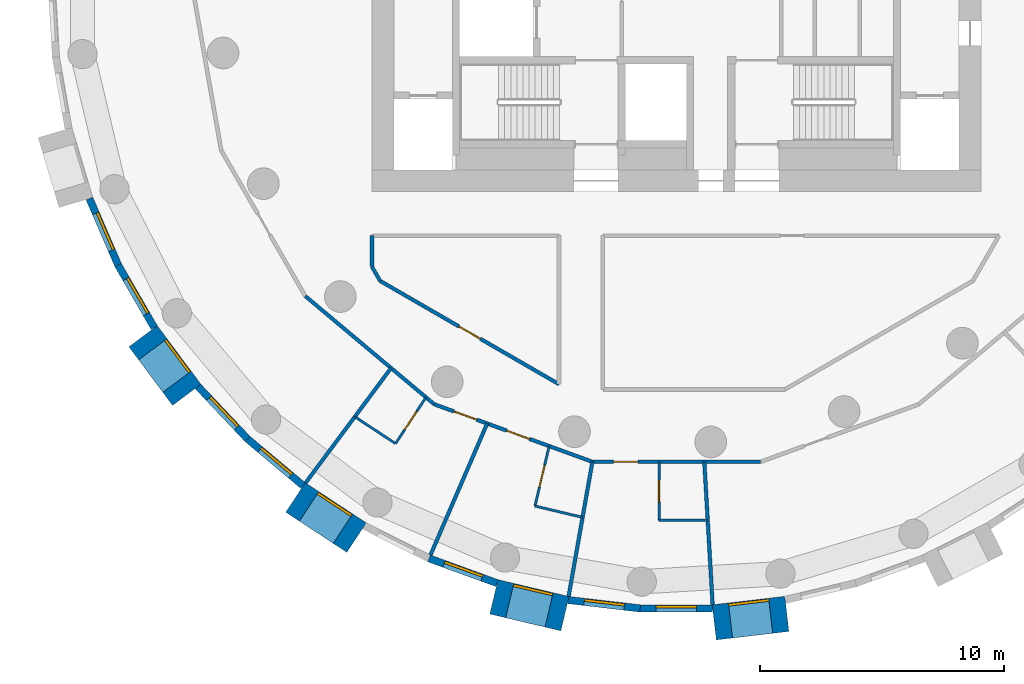
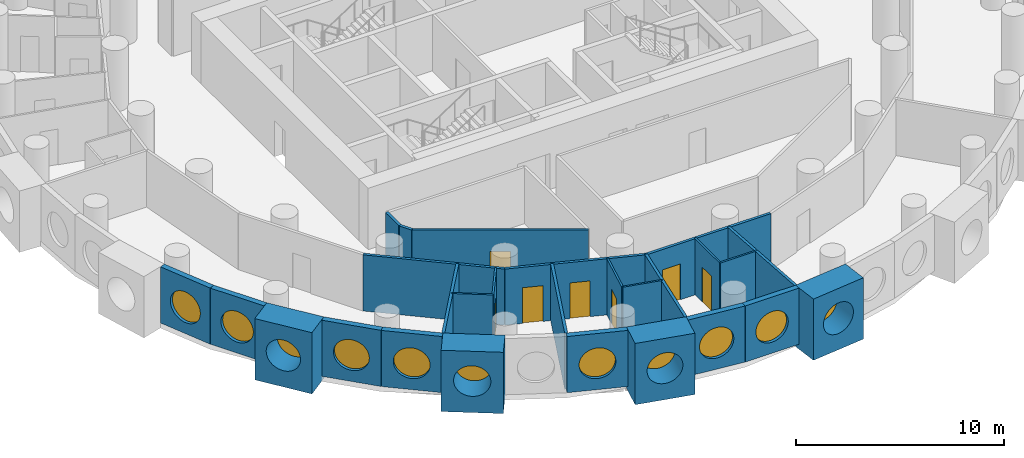
# One storey, part 2 of 9: 27 walls, 11 windows, 7 doors, 18 openings.
"""IFC4 building model written with IfcOpenShell, lengths in metres."""

from ifc_helpers import new_model, si_unit, direction, frame, frame_2d, origin, origin_2d, place, context, subcontext, project, spatial, rectangle, circle, extrude, material, layer, layer_set, type_object, element, fill, save


model = new_model("IFC4")

# Units and contexts
model_context = context("Model", 3, precision=1e-05, world=origin(), true_north=direction((0.0, 1.0)))
body_context = subcontext(model_context, "Body", "Model", "MODEL_VIEW")
ifc_project = project(units=[si_unit("LENGTHUNIT", "METRE"), si_unit("AREAUNIT", "SQUARE_METRE"), si_unit("VOLUMEUNIT", "CUBIC_METRE"), si_unit("PLANEANGLEUNIT", "RADIAN"), si_unit("MASSUNIT", "GRAM", prefix="KILO")], contexts=[model_context])

# Site, building, storey
site_placement = place(None, origin())
site = spatial("IfcSite", under=ifc_project, at=site_placement, CompositionType="ELEMENT")
building_placement = place(site_placement, origin())
building = spatial("IfcBuilding", under=site, at=building_placement, Name="Tracery Tower", CompositionType="ELEMENT")
storey_placement = place(building_placement, frame((0.0, 0.0, 183.60009765625)))
storey = spatial("IfcBuildingStorey", under=building, at=storey_placement, Name="L47", CompositionType="ELEMENT", Elevation=183.60009765625)

# Wall, opening, window
ifc_material_1 = material(Name="Precast concrete C50/60", Category="concrete")
ifc_layer_1 = layer(ifc_material_1, 1.449951171875)
ifc_layer_set_1 = layer_set([ifc_layer_1], Name="Deep-set bay unit 3000 x 3600, slab edge 300")
wall_type_1 = type_object("IfcWallType", Name="Deep-set bay unit 3000 x 3600, slab edge 300", PredefinedType="ELEMENTEDWALL", material=ifc_layer_set_1)
wall_1_placement = place(storey_placement, frame((-21.89453125, -14.429931640625, -0.300048828125), z_axis=(0.0, 0.0, 1.0), x_axis=(0.597183717734, -0.802104486506, 0.0)))
wall_1 = element("IfcWall", 1, at=wall_1_placement, inside=storey, type_object=wall_type_1, Name="Deep-set bay unit 33 at L47", PredefinedType="ELEMENTEDWALL", context=body_context, shape_type="SweptSolid", body=[
    extrude(rectangle(XDim=3.0, YDim=1.449951171875, at=frame_2d((1.5, 0.0))), origin(), (0.0, 0.0, 1.0), 3.599853515625),
])
opening_1_placement = place(wall_1_placement, frame((1.5, 0.0, 1.85009765625)))
opening_1 = element("IfcOpeningElement", 2, at=opening_1_placement, cuts=wall_1, Name="Opening WN1", PredefinedType="OPENING", context=body_context, shape_type="SweptSolid", body=[
    extrude(circle(Radius=0.9000244140625, at=origin_2d()), frame((0.0, 0.73486328125, 0.0), z_axis=(0.0, -1.0, 0.0), x_axis=(1.0, 0.0, 0.0)), (0.0, 0.0, 1.0), 1.469970703125),
])
ifc_material_2 = material(Name="Aluminium frame with tinted double glazing", Category="aluminium")
window_type = type_object("IfcWindowType", Name="Round window 1800", PartitioningType="SINGLE_PANEL", PredefinedType="WINDOW", material=ifc_material_2)
window_1_placement = place(opening_1_placement, origin())
window_1 = element("IfcWindow", 3, at=window_1_placement, inside=storey, type_object=window_type, Name="Round window 33 at L47", OverallHeight=1.800048828125, OverallWidth=1.800048828125, PartitioningType="SINGLE_PANEL", PredefinedType="WINDOW", context=body_context, shape_type="SweptSolid", body=[
    extrude(circle(Radius=0.9000244140625, at=origin_2d()), frame((0.0, 0.69482421875, 0.0), z_axis=(0.0, -1.0, 0.0), x_axis=(1.0, 0.0, 0.0)), (0.0, 0.0, 1.0), 0.10009765625),
])
fill(opening_1, window_1)

wall_2_placement = place(storey_placement, frame((-15.638916015625, -21.048095703125, -0.300048828125), z_axis=(0.0, 0.0, 1.0), x_axis=(0.835514416706, -0.549468524554, 0.0)))
wall_2 = element("IfcWall", 4, at=wall_2_placement, inside=storey, type_object=wall_type_1, Name="Deep-set bay unit 36 at L47", PredefinedType="ELEMENTEDWALL", context=body_context, shape_type="SweptSolid", body=[
    extrude(rectangle(XDim=3.0, YDim=1.449951171875, at=frame_2d((1.5, 0.0))), origin(), (0.0, 0.0, 1.0), 3.599853515625),
])
opening_2_placement = place(wall_2_placement, frame((1.5, 0.0, 1.85009765625)))
opening_2 = element("IfcOpeningElement", 5, at=opening_2_placement, cuts=wall_2, Name="Opening WN1", PredefinedType="OPENING", context=body_context, shape_type="SweptSolid", body=[
    extrude(circle(Radius=0.9000244140625, at=origin_2d()), frame((0.0, 0.73486328125, 0.0), z_axis=(0.0, -1.0, 0.0), x_axis=(1.0, 0.0, 0.0)), (0.0, 0.0, 1.0), 1.469970703125),
])
window_2_placement = place(opening_2_placement, origin())
window_2 = element("IfcWindow", 6, at=window_2_placement, inside=storey, type_object=window_type, Name="Round window 36 at L47", OverallHeight=1.800048828125, OverallWidth=1.800048828125, PartitioningType="SINGLE_PANEL", PredefinedType="WINDOW", context=body_context, shape_type="SweptSolid", body=[
    extrude(circle(Radius=0.9000244140625, at=origin_2d()), frame((0.0, 0.69482421875, 0.0), z_axis=(0.0, -1.0, 0.0), x_axis=(1.0, 0.0, 0.0)), (0.0, 0.0, 1.0), 0.10009765625),
])
fill(opening_2, window_2)

wall_3_placement = place(storey_placement, frame((-7.496826171875, -25.12744140625, -0.300048828125), z_axis=(0.0, 0.0, 1.0), x_axis=(0.973042333261, -0.23062657627, 0.0)))
wall_3 = element("IfcWall", 7, at=wall_3_placement, inside=storey, type_object=wall_type_1, Name="Deep-set bay unit 39 at L47", PredefinedType="ELEMENTEDWALL", context=body_context, shape_type="SweptSolid", body=[
    extrude(rectangle(XDim=3.0, YDim=1.449951171875, at=frame_2d((1.5, 0.0))), origin(), (0.0, 0.0, 1.0), 3.599853515625),
])
opening_3_placement = place(wall_3_placement, frame((1.5, 0.0, 1.85009765625)))
opening_3 = element("IfcOpeningElement", 8, at=opening_3_placement, cuts=wall_3, Name="Opening WN1", PredefinedType="OPENING", context=body_context, shape_type="SweptSolid", body=[
    extrude(circle(Radius=0.9000244140625, at=origin_2d()), frame((0.0, 0.73486328125, 0.0), z_axis=(0.0, -1.0, 0.0), x_axis=(1.0, 0.0, 0.0)), (0.0, 0.0, 1.0), 1.469970703125),
])
window_3_placement = place(opening_3_placement, origin())
window_3 = element("IfcWindow", 9, at=window_3_placement, inside=storey, type_object=window_type, Name="Round window 39 at L47", OverallHeight=1.800048828125, OverallWidth=1.800048828125, PartitioningType="SINGLE_PANEL", PredefinedType="WINDOW", context=body_context, shape_type="SweptSolid", body=[
    extrude(circle(Radius=0.9000244140625, at=origin_2d()), frame((0.0, 0.69482421875, 0.0), z_axis=(0.0, -1.0, 0.0), x_axis=(1.0, 0.0, 0.0)), (0.0, 0.0, 1.0), 0.10009765625),
])
fill(opening_3, window_3)

wall_4_placement = place(storey_placement, frame((1.54931640625, -26.17626953125, -0.300048828125), z_axis=(0.0, 0.0, 1.0), x_axis=(0.9932342274, 0.116128246006, 0.0)))
wall_4 = element("IfcWall", 10, at=wall_4_placement, inside=storey, type_object=wall_type_1, Name="Deep-set bay unit 42 at L47", PredefinedType="ELEMENTEDWALL", context=body_context, shape_type="SweptSolid", body=[
    extrude(rectangle(XDim=3.0, YDim=1.449951171875, at=frame_2d((1.5, 0.0))), origin(), (0.0, 0.0, 1.0), 3.599853515625),
])
opening_4_placement = place(wall_4_placement, frame((1.5, 0.0, 1.85009765625)))
opening_4 = element("IfcOpeningElement", 11, at=opening_4_placement, cuts=wall_4, Name="Opening WN1", PredefinedType="OPENING", context=body_context, shape_type="SweptSolid", body=[
    extrude(circle(Radius=0.9000244140625, at=origin_2d()), frame((0.0, 0.73486328125, 0.0), z_axis=(0.0, -1.0, 0.0), x_axis=(1.0, 0.0, 0.0)), (0.0, 0.0, 1.0), 1.469970703125),
])
window_4_placement = place(opening_4_placement, origin())
window_4 = element("IfcWindow", 12, at=window_4_placement, inside=storey, type_object=window_type, Name="Round window 42 at L47", OverallHeight=1.800048828125, OverallWidth=1.800048828125, PartitioningType="SINGLE_PANEL", PredefinedType="WINDOW", context=body_context, shape_type="SweptSolid", body=[
    extrude(circle(Radius=0.9000244140625, at=origin_2d()), frame((0.0, 0.69482421875, 0.0), z_axis=(0.0, -1.0, 0.0), x_axis=(1.0, 0.0, 0.0)), (0.0, 0.0, 1.0), 0.10009765625),
])
fill(opening_4, window_4)

ifc_material_3 = material(Name="Precast concrete C50/60", Category="concrete")
ifc_layer_2 = layer(ifc_material_3, 0.300048828125)
ifc_layer_set_2 = layer_set([ifc_layer_2], Name="Facade panel 3000 x 3300")
wall_type_2 = type_object("IfcWallType", Name="Facade panel 3000 x 3300", PredefinedType="SOLIDWALL", material=ifc_layer_set_2)
wall_5_placement = place(storey_placement, frame((-24.096923828125, -8.78076171875, 0.0), z_axis=(0.0, 0.0, 1.0), x_axis=(0.396078892785, -0.918216483565, 0.0)))
wall_5 = element("IfcWall", 13, at=wall_5_placement, inside=storey, type_object=wall_type_2, Name="Facade panel 31 at L47", PredefinedType="SOLIDWALL", context=body_context, shape_type="SweptSolid", body=[
    extrude(rectangle(XDim=2.972900390625, YDim=0.300048828125, at=frame_2d((1.486328125, 0.0))), origin(), (0.0, 0.0, 1.0), 3.2998046875),
])
opening_5_placement = place(wall_5_placement, frame((1.486328125, 0.0, 1.5498046875)))
opening_5 = element("IfcOpeningElement", 14, at=opening_5_placement, cuts=wall_5, Name="Opening WN1", PredefinedType="OPENING", context=body_context, shape_type="SweptSolid", body=[
    extrude(circle(Radius=0.9000244140625, at=origin_2d()), frame((0.0, 0.159912109375, 0.0), z_axis=(0.0, -1.0, 0.0), x_axis=(1.0, 0.0, 0.0)), (0.0, 0.0, 1.0), 0.320068359375),
])
window_5_placement = place(opening_5_placement, origin())
window_5 = element("IfcWindow", 15, at=window_5_placement, inside=storey, type_object=window_type, Name="Round window 31 at L47", OverallHeight=1.800048828125, OverallWidth=1.800048828125, PartitioningType="SINGLE_PANEL", PredefinedType="WINDOW", context=body_context, shape_type="SweptSolid", body=[
    extrude(circle(Radius=0.9000244140625, at=origin_2d()), frame((0.0, 0.1201171875, 0.0), z_axis=(0.0, -1.0, 0.0), x_axis=(1.0, 0.0, 0.0)), (0.0, 0.0, 1.0), 0.10009765625),
])
fill(opening_5, window_5)

wall_6_placement = place(storey_placement, frame((-22.91943359375, -11.510498046875, 0.0), z_axis=(0.0, 0.0, 1.0), x_axis=(0.500016263033, -0.866016014115, 0.0)))
wall_6 = element("IfcWall", 16, at=wall_6_placement, inside=storey, type_object=wall_type_2, Name="Facade panel 32 at L47", PredefinedType="SOLIDWALL", context=body_context, shape_type="SweptSolid", body=[
    extrude(rectangle(XDim=2.97314453125, YDim=0.300048828125, at=frame_2d((1.486572265625, 0.0))), origin(), (0.0, 0.0, 1.0), 3.2998046875),
])
opening_6_placement = place(wall_6_placement, frame((1.486328125, 0.0, 1.5498046875)))
opening_6 = element("IfcOpeningElement", 17, at=opening_6_placement, cuts=wall_6, Name="Opening WN1", PredefinedType="OPENING", context=body_context, shape_type="SweptSolid", body=[
    extrude(circle(Radius=0.9000244140625, at=origin_2d()), frame((0.0, 0.159912109375, 0.0), z_axis=(0.0, -1.0, 0.0), x_axis=(1.0, 0.0, 0.0)), (0.0, 0.0, 1.0), 0.320068359375),
])
window_6_placement = place(opening_6_placement, origin())
window_6 = element("IfcWindow", 18, at=window_6_placement, inside=storey, type_object=window_type, Name="Round window 32 at L47", OverallHeight=1.800048828125, OverallWidth=1.800048828125, PartitioningType="SINGLE_PANEL", PredefinedType="WINDOW", context=body_context, shape_type="SweptSolid", body=[
    extrude(circle(Radius=0.9000244140625, at=origin_2d()), frame((0.0, 0.1201171875, 0.0), z_axis=(0.0, -1.0, 0.0), x_axis=(1.0, 0.0, 0.0)), (0.0, 0.0, 1.0), 0.10009765625),
])
fill(opening_6, window_6)

wall_7_placement = place(storey_placement, frame((-19.640380859375, -16.492919921875, 0.0), z_axis=(0.0, 0.0, 1.0), x_axis=(0.686235184166, -0.727379730273, 0.0)))
wall_7 = element("IfcWall", 19, at=wall_7_placement, inside=storey, type_object=wall_type_2, Name="Facade panel 34 at L47", PredefinedType="SOLIDWALL", context=body_context, shape_type="SweptSolid", body=[
    extrude(rectangle(XDim=2.972900390625, YDim=0.300048828125, at=frame_2d((1.486328125, 0.0))), origin(), (0.0, 0.0, 1.0), 3.2998046875),
])
opening_7_placement = place(wall_7_placement, frame((1.486328125, 0.0, 1.5498046875)))
opening_7 = element("IfcOpeningElement", 20, at=opening_7_placement, cuts=wall_7, Name="Opening WN1", PredefinedType="OPENING", context=body_context, shape_type="SweptSolid", body=[
    extrude(circle(Radius=0.9000244140625, at=origin_2d()), frame((0.0, 0.159912109375, 0.0), z_axis=(0.0, -1.0, 0.0), x_axis=(1.0, 0.0, 0.0)), (0.0, 0.0, 1.0), 0.320068359375),
])
window_7_placement = place(opening_7_placement, origin())
window_7 = element("IfcWindow", 21, at=window_7_placement, inside=storey, type_object=window_type, Name="Round window 34 at L47", OverallHeight=1.800048828125, OverallWidth=1.800048828125, PartitioningType="SINGLE_PANEL", PredefinedType="WINDOW", context=body_context, shape_type="SweptSolid", body=[
    extrude(circle(Radius=0.9000244140625, at=origin_2d()), frame((0.0, 0.1201171875, 0.0), z_axis=(0.0, -1.0, 0.0), x_axis=(1.0, 0.0, 0.0)), (0.0, 0.0, 1.0), 0.10009765625),
])
fill(opening_7, window_7)

wall_8_placement = place(storey_placement, frame((-17.600341796875, -18.6552734375, 0.0), z_axis=(0.0, 0.0, 1.0), x_axis=(0.766049350637, -0.642781761089, 0.0)))
wall_8 = element("IfcWall", 22, at=wall_8_placement, inside=storey, type_object=wall_type_2, Name="Facade panel 35 at L47", PredefinedType="SOLIDWALL", context=body_context, shape_type="SweptSolid", body=[
    extrude(rectangle(XDim=2.972900390625, YDim=0.300048828125, at=frame_2d((1.486328125, 0.0))), origin(), (0.0, 0.0, 1.0), 3.2998046875),
])
opening_8_placement = place(wall_8_placement, frame((1.486328125, 0.0, 1.5498046875)))
opening_8 = element("IfcOpeningElement", 23, at=opening_8_placement, cuts=wall_8, Name="Opening WN1", PredefinedType="OPENING", context=body_context, shape_type="SweptSolid", body=[
    extrude(circle(Radius=0.9000244140625, at=origin_2d()), frame((0.0, 0.159912109375, 0.0), z_axis=(0.0, -1.0, 0.0), x_axis=(1.0, 0.0, 0.0)), (0.0, 0.0, 1.0), 0.320068359375),
])
window_8_placement = place(opening_8_placement, origin())
window_8 = element("IfcWindow", 24, at=window_8_placement, inside=storey, type_object=window_type, Name="Round window 35 at L47", OverallHeight=1.800048828125, OverallWidth=1.800048828125, PartitioningType="SINGLE_PANEL", PredefinedType="WINDOW", context=body_context, shape_type="SweptSolid", body=[
    extrude(circle(Radius=0.9000244140625, at=origin_2d()), frame((0.0, 0.1201171875, 0.0), z_axis=(0.0, -1.0, 0.0), x_axis=(1.0, 0.0, 0.0)), (0.0, 0.0, 1.0), 0.10009765625),
])
fill(opening_8, window_8)

wall_9_placement = place(storey_placement, frame((-10.158447265625, -23.5498046875, 0.0), z_axis=(0.0, 0.0, 1.0), x_axis=(0.939690282133, -0.342026568652, 0.0)))
wall_9 = element("IfcWall", 25, at=wall_9_placement, inside=storey, type_object=wall_type_2, Name="Facade panel 38 at L47", PredefinedType="SOLIDWALL", context=body_context, shape_type="SweptSolid", body=[
    extrude(rectangle(XDim=2.972900390625, YDim=0.300048828125, at=frame_2d((1.486328125, 0.0))), origin(), (0.0, 0.0, 1.0), 3.2998046875),
])
opening_9_placement = place(wall_9_placement, frame((1.486328125, 0.0, 1.5498046875)))
opening_9 = element("IfcOpeningElement", 26, at=opening_9_placement, cuts=wall_9, Name="Opening WN1", PredefinedType="OPENING", context=body_context, shape_type="SweptSolid", body=[
    extrude(circle(Radius=0.9000244140625, at=origin_2d()), frame((0.0, 0.159912109375, 0.0), z_axis=(0.0, -1.0, 0.0), x_axis=(1.0, 0.0, 0.0)), (0.0, 0.0, 1.0), 0.320068359375),
])
window_9_placement = place(opening_9_placement, origin())
window_9 = element("IfcWindow", 27, at=window_9_placement, inside=storey, type_object=window_type, Name="Round window 38 at L47", OverallHeight=1.800048828125, OverallWidth=1.800048828125, PartitioningType="SINGLE_PANEL", PredefinedType="WINDOW", context=body_context, shape_type="SweptSolid", body=[
    extrude(circle(Radius=0.9000244140625, at=origin_2d()), frame((0.0, 0.1201171875, 0.0), z_axis=(0.0, -1.0, 0.0), x_axis=(1.0, 0.0, 0.0)), (0.0, 0.0, 1.0), 0.10009765625),
])
fill(opening_9, window_9)

wall_10_placement = place(storey_placement, frame((-4.444091796875, -25.259033203125, 0.0), z_axis=(0.0, 0.0, 1.0), x_axis=(0.993245010522, -0.1160359818, 0.0)))
wall_10 = element("IfcWall", 28, at=wall_10_placement, inside=storey, type_object=wall_type_2, Name="Facade panel 40 at L47", PredefinedType="SOLIDWALL", context=body_context, shape_type="SweptSolid", body=[
    extrude(rectangle(XDim=2.972900390625, YDim=0.300048828125, at=frame_2d((1.486328125, 0.0))), origin(), (0.0, 0.0, 1.0), 3.2998046875),
])
opening_10_placement = place(wall_10_placement, frame((1.486328125, 0.0, 1.5498046875)))
opening_10 = element("IfcOpeningElement", 29, at=opening_10_placement, cuts=wall_10, Name="Opening WN1", PredefinedType="OPENING", context=body_context, shape_type="SweptSolid", body=[
    extrude(circle(Radius=0.9000244140625, at=origin_2d()), frame((0.0, 0.159912109375, 0.0), z_axis=(0.0, -1.0, 0.0), x_axis=(1.0, 0.0, 0.0)), (0.0, 0.0, 1.0), 0.320068359375),
])
window_10_placement = place(opening_10_placement, origin())
window_10 = element("IfcWindow", 30, at=window_10_placement, inside=storey, type_object=window_type, Name="Round window 40 at L47", OverallHeight=1.800048828125, OverallWidth=1.800048828125, PartitioningType="SINGLE_PANEL", PredefinedType="WINDOW", context=body_context, shape_type="SweptSolid", body=[
    extrude(circle(Radius=0.9000244140625, at=origin_2d()), frame((0.0, 0.1201171875, 0.0), z_axis=(0.0, -1.0, 0.0), x_axis=(1.0, 0.0, 0.0)), (0.0, 0.0, 1.0), 0.10009765625),
])
fill(opening_10, window_10)

wall_11_placement = place(storey_placement, frame((-1.4912109375, -25.60400390625, 0.0), z_axis=(0.0, 0.0, 1.0), x_axis=(1.0, 0.0, 0.0)))
wall_11 = element("IfcWall", 31, at=wall_11_placement, inside=storey, type_object=wall_type_2, Name="Facade panel 41 at L47", PredefinedType="SOLIDWALL", context=body_context, shape_type="SweptSolid", body=[
    extrude(rectangle(XDim=2.972900390625, YDim=0.300048828125, at=frame_2d((1.486328125, 0.0))), origin(), (0.0, 0.0, 1.0), 3.2998046875),
])
opening_11_placement = place(wall_11_placement, frame((1.486328125, 0.0, 1.5498046875)))
opening_11 = element("IfcOpeningElement", 32, at=opening_11_placement, cuts=wall_11, Name="Opening WN1", PredefinedType="OPENING", context=body_context, shape_type="SweptSolid", body=[
    extrude(circle(Radius=0.9000244140625, at=origin_2d()), frame((0.0, 0.159912109375, 0.0), z_axis=(0.0, -1.0, 0.0), x_axis=(1.0, 0.0, 0.0)), (0.0, 0.0, 1.0), 0.320068359375),
])
window_11_placement = place(opening_11_placement, origin())
window_11 = element("IfcWindow", 33, at=window_11_placement, inside=storey, type_object=window_type, Name="Round window 41 at L47", OverallHeight=1.800048828125, OverallWidth=1.800048828125, PartitioningType="SINGLE_PANEL", PredefinedType="WINDOW", context=body_context, shape_type="SweptSolid", body=[
    extrude(circle(Radius=0.9000244140625, at=origin_2d()), frame((0.0, 0.1201171875, 0.0), z_axis=(0.0, -1.0, 0.0), x_axis=(1.0, 0.0, 0.0)), (0.0, 0.0, 1.0), 0.10009765625),
])
fill(opening_11, window_11)

# Wall
ifc_material_4 = material(Name="Plasterboard on steel studs", Category="steel")
ifc_layer_3 = layer(ifc_material_4, 0.10009765625)
ifc_layer_set_3 = layer_set([ifc_layer_3], Name="Partition 100 wet wall")
wall_type_3 = type_object("IfcWallType", Name="Partition 100 wet wall", PredefinedType="PARTITIONING", material=ifc_layer_set_3)
wall_12_placement = place(storey_placement, frame((-13.2041015625, -17.736083984375, 0.0), z_axis=(0.0, 0.0, 1.0), x_axis=(0.835392041163, -0.549654562032, 0.0)))
element("IfcWall", 34, at=wall_12_placement, inside=storey, type_object=wall_type_3, Name="Wet wall RB6-058", PredefinedType="PARTITIONING", context=body_context, shape_type="SweptSolid", body=[
    extrude(rectangle(XDim=2.002685546875, YDim=0.10009765625, at=frame_2d((1.00146484375, 0.0))), origin(), (0.0, 0.0, 1.0), 3.2998046875),
])

# Wall, opening, door
wall_13_placement = place(storey_placement, frame((-11.531005859375, -18.8369140625, 0.0), z_axis=(0.0, 0.0, 1.0), x_axis=(0.549730960803, 0.83534176882, 0.0)))
wall_13 = element("IfcWall", 35, at=wall_13_placement, inside=storey, type_object=wall_type_3, Name="Wet wall RB6-059", PredefinedType="PARTITIONING", context=body_context, shape_type="SweptSolid", body=[
    extrude(rectangle(XDim=2.27197265625, YDim=0.10009765625, at=frame_2d((1.135986328125, 0.0))), origin(), (0.0, 0.0, 1.0), 3.2998046875),
])
opening_12_placement = place(wall_13_placement, frame((0.68603515625, 0.0, 0.0)))
opening_12 = element("IfcOpeningElement", 36, at=opening_12_placement, cuts=wall_13, Name="Opening RB6-18", PredefinedType="OPENING", context=body_context, shape_type="SweptSolid", body=[
    extrude(rectangle(XDim=0.89990234375, YDim=2.0400390625, at=frame_2d((0.449951171875, 1.02001953125))), frame((0.0, 0.050048828125, 0.0), z_axis=(0.0, -1.0, 0.0), x_axis=(1.0, 0.0, 0.0)), (0.0, 0.0, 1.0), 0.10009765625),
])
ifc_material_5 = material(Name="Timber door leaf", Category="wood")
door_type_1 = type_object("IfcDoorType", Name="Door en-suite 900", OperationType="NOTDEFINED", PredefinedType="DOOR", material=ifc_material_5)
door_1_placement = place(opening_12_placement, origin())
door_1 = element("IfcDoor", 37, at=door_1_placement, inside=storey, type_object=door_type_1, Name="En-suite door RB6-18", OperationType="SINGLE_SWING_LEFT", OverallHeight=2.0400390625, OverallWidth=0.89990234375, PredefinedType="DOOR", context=body_context, shape_type="SweptSolid", body=[
    extrude(rectangle(XDim=0.89990234375, YDim=2.0400390625, at=frame_2d((0.449951171875, 1.02001953125))), frame((0.0, 0.02490234375, 0.0), z_axis=(0.0, -1.0, 0.0), x_axis=(1.0, 0.0, 0.0)), (0.0, 0.0, 1.0), 0.050048828125),
])
fill(opening_12, door_1)

wall_14_placement = place(storey_placement, frame((-5.80908203125, -21.40087890625, 0.0), z_axis=(0.0, 0.0, 1.0), x_axis=(0.230524114202, 0.97306661271, 0.0)))
wall_14 = element("IfcWall", 38, at=wall_14_placement, inside=storey, type_object=wall_type_3, Name="Wet wall RB6-061", PredefinedType="PARTITIONING", context=body_context, shape_type="SweptSolid", body=[
    extrude(rectangle(XDim=2.529052734375, YDim=0.10009765625, at=frame_2d((1.2646484375, 0.0))), origin(), (0.0, 0.0, 1.0), 3.2998046875),
])
opening_13_placement = place(wall_14_placement, frame((0.814208984375, 0.0, 0.0)))
opening_13 = element("IfcOpeningElement", 39, at=opening_13_placement, cuts=wall_14, Name="Opening RB6-20", PredefinedType="OPENING", context=body_context, shape_type="SweptSolid", body=[
    extrude(rectangle(XDim=0.89990234375, YDim=2.0400390625, at=frame_2d((0.449951171875, 1.02001953125))), frame((0.0, 0.050048828125, 0.0), z_axis=(0.0, -1.0, 0.0), x_axis=(1.0, 0.0, 0.0)), (0.0, 0.0, 1.0), 0.10009765625),
])
door_2_placement = place(opening_13_placement, origin())
door_2 = element("IfcDoor", 40, at=door_2_placement, inside=storey, type_object=door_type_1, Name="En-suite door RB6-20", OperationType="SINGLE_SWING_RIGHT", OverallHeight=2.0400390625, OverallWidth=0.89990234375, PredefinedType="DOOR", context=body_context, shape_type="SweptSolid", body=[
    extrude(rectangle(XDim=0.89990234375, YDim=2.0400390625, at=frame_2d((0.449951171875, 1.02001953125))), frame((0.0, 0.02490234375, 0.0), z_axis=(0.0, -1.0, 0.0), x_axis=(1.0, 0.0, 0.0)), (0.0, 0.0, 1.0), 0.050048828125),
])
fill(opening_13, door_2)

# Wall
wall_15_placement = place(storey_placement, frame((-5.80908203125, -21.40087890625, 0.0), z_axis=(0.0, 0.0, 1.0), x_axis=(0.973044402656, -0.230617845057, 0.0)))
element("IfcWall", 41, at=wall_15_placement, inside=storey, type_object=wall_type_3, Name="Wet wall RB6-062", PredefinedType="PARTITIONING", context=body_context, shape_type="SweptSolid", body=[
    extrude(rectangle(XDim=2.00830078125, YDim=0.10009765625, at=frame_2d((1.004150390625, 0.0))), origin(), (0.0, 0.0, 1.0), 3.2998046875),
])

# Wall, opening, door
wall_16_placement = place(storey_placement, frame((-0.717041015625, -21.986083984375, 0.0), z_axis=(0.0, 0.0, 1.0), x_axis=(0.0, 1.0, 0.0)))
wall_16 = element("IfcWall", 42, at=wall_16_placement, inside=storey, type_object=wall_type_3, Name="Wet wall RB6-064", PredefinedType="PARTITIONING", context=body_context, shape_type="SweptSolid", body=[
    extrude(rectangle(XDim=2.400146484375, YDim=0.10009765625, at=frame_2d((1.2001953125, 0.0))), origin(), (0.0, 0.0, 1.0), 3.2998046875),
])
opening_14_placement = place(wall_16_placement, frame((0.75, 0.0, 0.0)))
opening_14 = element("IfcOpeningElement", 43, at=opening_14_placement, cuts=wall_16, Name="Opening RB6-22", PredefinedType="OPENING", context=body_context, shape_type="SweptSolid", body=[
    extrude(rectangle(XDim=0.89990234375, YDim=2.0400390625, at=frame_2d((0.449951171875, 1.02001953125))), frame((0.0, 0.050048828125, 0.0), z_axis=(0.0, -1.0, 0.0), x_axis=(1.0, 0.0, 0.0)), (0.0, 0.0, 1.0), 0.10009765625),
])
door_3_placement = place(opening_14_placement, origin())
door_3 = element("IfcDoor", 44, at=door_3_placement, inside=storey, type_object=door_type_1, Name="En-suite door RB6-22", OperationType="SINGLE_SWING_LEFT", OverallHeight=2.0400390625, OverallWidth=0.89990234375, PredefinedType="DOOR", context=body_context, shape_type="SweptSolid", body=[
    extrude(rectangle(XDim=0.89990234375, YDim=2.0400390625, at=frame_2d((0.449951171875, 1.02001953125))), frame((0.0, 0.02490234375, 0.0), z_axis=(0.0, -1.0, 0.0), x_axis=(1.0, 0.0, 0.0)), (0.0, 0.0, 1.0), 0.050048828125),
])
fill(opening_14, door_3)

# Walls
wall_17_placement = place(storey_placement, frame((-0.717041015625, -21.986083984375, 0.0), z_axis=(0.0, 0.0, 1.0), x_axis=(1.0, 0.0, 0.0)))
element("IfcWall", 45, at=wall_17_placement, inside=storey, type_object=wall_type_3, Name="Wet wall RB6-065", PredefinedType="PARTITIONING", context=body_context, shape_type="SweptSolid", body=[
    extrude(rectangle(XDim=1.998046875, YDim=0.10009765625, at=frame_2d((0.9990234375, 0.0))), origin(), (0.0, 0.0, 1.0), 3.2998046875),
])
ifc_material_6 = material(Name="Plasterboard on steel studs", Category="steel")
ifc_layer_4 = layer(ifc_material_6, 0.14990234375)
ifc_layer_set_4 = layer_set([ifc_layer_4], Name="Partition 150 acoustic unit wall")
wall_type_4 = type_object("IfcWallType", Name="Partition 150 acoustic unit wall", PredefinedType="PARTITIONING", material=ifc_layer_set_4)
wall_18_placement = place(storey_placement, frame((-15.22607421875, -20.451904296875, 0.0), z_axis=(0.0, 0.0, 1.0), x_axis=(0.597131981171, 0.802143002876, 0.0)))
element("IfcWall", 46, at=wall_18_placement, inside=storey, type_object=wall_type_4, Name="Unit wall RB6-057", PredefinedType="PARTITIONING", context=body_context, shape_type="SweptSolid", body=[
    extrude(rectangle(XDim=5.878173828125, YDim=0.14990234375, at=frame_2d((2.93896484375, 0.0))), origin(), (0.0, 0.0, 1.0), 3.2998046875),
])
wall_19_placement = place(storey_placement, frame((-10.09912109375, -23.412109375, 0.0), z_axis=(0.0, 0.0, 1.0), x_axis=(0.39601833725, 0.918242602236, 0.0)))
element("IfcWall", 47, at=wall_19_placement, inside=storey, type_object=wall_type_4, Name="Unit wall RB6-060", PredefinedType="PARTITIONING", context=body_context, shape_type="SweptSolid", body=[
    extrude(rectangle(XDim=5.87890625, YDim=0.14990234375, at=frame_2d((2.939453125, 0.0))), origin(), (0.0, 0.0, 1.0), 3.2998046875),
])
wall_20_placement = place(storey_placement, frame((-4.427978515625, -25.110107421875, 0.0), z_axis=(0.0, 0.0, 1.0), x_axis=(0.17382754149, 0.984776109489, 0.0)))
element("IfcWall", 48, at=wall_20_placement, inside=storey, type_object=wall_type_4, Name="Unit wall RB6-063", PredefinedType="PARTITIONING", context=body_context, shape_type="SweptSolid", body=[
    extrude(rectangle(XDim=5.609619140625, YDim=0.14990234375, at=frame_2d((2.8046875, 0.0))), origin(), (0.0, 0.0, 1.0), 3.2998046875),
])
wall_21_placement = place(storey_placement, frame((1.14111328125, -19.5859375, 0.0), z_axis=(0.0, 0.0, 1.0), x_axis=(0.058147412668, -0.998308007781, 0.0)))
element("IfcWall", 49, at=wall_21_placement, inside=storey, type_object=wall_type_4, Name="Unit wall RB6-066", PredefinedType="PARTITIONING", context=body_context, shape_type="SweptSolid", body=[
    extrude(rectangle(XDim=5.878173828125, YDim=0.14990234375, at=frame_2d((2.93896484375, 0.0))), origin(), (0.0, 0.0, 1.0), 3.2998046875),
])
ifc_material_7 = material(Name="Plasterboard on steel studs", Category="steel")
ifc_layer_5 = layer(ifc_material_7, 0.14990234375)
ifc_layer_set_5 = layer_set([ifc_layer_5], Name="Partition 150 corridor wall")
wall_type_5 = type_object("IfcWallType", Name="Partition 150 corridor wall", PredefinedType="PARTITIONING", material=ifc_layer_set_5)
wall_22_placement = place(storey_placement, frame((-12.5, -11.576904296875, 0.0), z_axis=(0.0, 0.0, 1.0), x_axis=(0.0, 1.0, 0.0)))
element("IfcWall", 50, at=wall_22_placement, inside=storey, type_object=wall_type_5, Name="Corridor wall RB6-024", PredefinedType="PARTITIONING", context=body_context, shape_type="SweptSolid", body=[
    extrude(rectangle(XDim=1.27685546875, YDim=0.14990234375, at=frame_2d((0.638427734375, 0.0))), origin(), (0.0, 0.0, 1.0), 3.2998046875),
])
wall_23_placement = place(storey_placement, frame((-12.5, -11.576904296875, 0.0), z_axis=(0.0, 0.0, 1.0), x_axis=(0.500024767483, -0.866011103799, 0.0)))
element("IfcWall", 51, at=wall_23_placement, inside=storey, type_object=wall_type_5, Name="Corridor wall RB6-025", PredefinedType="PARTITIONING", context=body_context, shape_type="SweptSolid", body=[
    extrude(rectangle(XDim=0.67578125, YDim=0.14990234375, at=frame_2d((0.337890625, 0.0))), origin(), (0.0, 0.0, 1.0), 3.2998046875),
])
wall_24_placement = place(storey_placement, frame((-15.235107421875, -12.783935546875, 0.0), z_axis=(0.0, 0.0, 1.0), x_axis=(0.766192104565, -0.642611592567, 0.0)))
element("IfcWall", 52, at=wall_24_placement, inside=storey, type_object=wall_type_5, Name="Corridor wall RB6-028", PredefinedType="PARTITIONING", context=body_context, shape_type="SweptSolid", body=[
    extrude(rectangle(XDim=6.906494140625, YDim=0.14990234375, at=frame_2d((3.453125, 0.0))), origin(), (0.0, 0.0, 1.0), 3.2998046875),
])

# Wall, opening, door
wall_25_placement = place(storey_placement, frame((-12.162109375, -12.162109375, 0.0), z_axis=(0.0, 0.0, 1.0), x_axis=(0.866004766557, -0.500035743023, 0.0)))
wall_25 = element("IfcWall", 53, at=wall_25_placement, inside=storey, type_object=wall_type_5, Name="Corridor wall RB6-031", PredefinedType="PARTITIONING", context=body_context, shape_type="SweptSolid", body=[
    extrude(rectangle(XDim=8.47705078125, YDim=0.14990234375, at=frame_2d((4.238525390625, 0.0))), origin(), (0.0, 0.0, 1.0), 3.2998046875),
])
opening_15_placement = place(wall_25_placement, frame((3.738037109375, 0.0, 0.0)))
opening_15 = element("IfcOpeningElement", 54, at=opening_15_placement, cuts=wall_25, Name="Opening RB6-03", PredefinedType="OPENING", context=body_context, shape_type="SweptSolid", body=[
    extrude(rectangle(XDim=1.0, YDim=2.0400390625, at=frame_2d((0.5, 1.02001953125))), frame((0.0, 0.074951171875, 0.0), z_axis=(0.0, -1.0, 0.0), x_axis=(1.0, 0.0, 0.0)), (0.0, 0.0, 1.0), 0.14990234375),
])
ifc_material_8 = material(Name="Timber door leaf", Category="wood")
door_type_2 = type_object("IfcDoorType", Name="Door communal room 1000", OperationType="NOTDEFINED", PredefinedType="DOOR", material=ifc_material_8)
door_4_placement = place(opening_15_placement, origin())
door_4 = element("IfcDoor", 55, at=door_4_placement, inside=storey, type_object=door_type_2, Name="Communal room door RB6-03", OperationType="SINGLE_SWING_LEFT", OverallHeight=2.0400390625, OverallWidth=1.0, PredefinedType="DOOR", context=body_context, shape_type="SweptSolid", body=[
    extrude(rectangle(XDim=1.0, YDim=2.0400390625, at=frame_2d((0.5, 1.02001953125))), frame((0.0, 0.02490234375, 0.0), z_axis=(0.0, -1.0, 0.0), x_axis=(1.0, 0.0, 0.0)), (0.0, 0.0, 1.0), 0.050048828125),
])
fill(opening_15, door_4)

# Wall, openings, doors
wall_26_placement = place(storey_placement, frame((-9.944091796875, -17.222900390625, 0.0), z_axis=(0.0, 0.0, 1.0), x_axis=(0.939737689664, -0.341896292208, 0.0)))
wall_26 = element("IfcWall", 56, at=wall_26_placement, inside=storey, type_object=wall_type_5, Name="Corridor wall RB6-036", PredefinedType="PARTITIONING", context=body_context, shape_type="SweptSolid", body=[
    extrude(rectangle(XDim=6.907958984375, YDim=0.14990234375, at=frame_2d((3.4541015625, 0.0))), origin(), (0.0, 0.0, 1.0), 3.2998046875),
])
opening_16_placement = place(wall_26_placement, frame((0.858642578125, 0.0, 0.0)))
opening_16 = element("IfcOpeningElement", 57, at=opening_16_placement, cuts=wall_26, Name="Opening RB6-19", PredefinedType="OPENING", context=body_context, shape_type="SweptSolid", body=[
    extrude(rectangle(XDim=1.0, YDim=2.10009765625, at=frame_2d((0.5, 1.050048828125))), frame((0.0, 0.074951171875, 0.0), z_axis=(0.0, -1.0, 0.0), x_axis=(1.0, 0.0, 0.0)), (0.0, 0.0, 1.0), 0.14990234375),
])
opening_17_placement = place(wall_26_placement, frame((3.167236328125, 0.0, 0.0)))
opening_17 = element("IfcOpeningElement", 58, at=opening_17_placement, cuts=wall_26, Name="Opening RB6-21", PredefinedType="OPENING", context=body_context, shape_type="SweptSolid", body=[
    extrude(rectangle(XDim=1.0, YDim=2.10009765625, at=frame_2d((0.5, 1.050048828125))), frame((0.0, 0.074951171875, 0.0), z_axis=(0.0, -1.0, 0.0), x_axis=(1.0, 0.0, 0.0)), (0.0, 0.0, 1.0), 0.14990234375),
])
ifc_material_9 = material(Name="Timber door leaf", Category="wood")
door_type_3 = type_object("IfcDoorType", Name="Door unit entrance 1000", OperationType="NOTDEFINED", PredefinedType="DOOR", material=ifc_material_9)
door_5_placement = place(opening_16_placement, origin())
door_5 = element("IfcDoor", 59, at=door_5_placement, inside=storey, type_object=door_type_3, Name="Unit entrance door RB6-19", OperationType="SINGLE_SWING_LEFT", OverallHeight=2.10009765625, OverallWidth=1.0, PredefinedType="DOOR", context=body_context, shape_type="SweptSolid", body=[
    extrude(rectangle(XDim=1.0, YDim=2.10009765625, at=frame_2d((0.5, 1.050048828125))), frame((0.0, 0.02490234375, 0.0), z_axis=(0.0, -1.0, 0.0), x_axis=(1.0, 0.0, 0.0)), (0.0, 0.0, 1.0), 0.050048828125),
])
fill(opening_16, door_5)
door_6_placement = place(opening_17_placement, origin())
door_6 = element("IfcDoor", 60, at=door_6_placement, inside=storey, type_object=door_type_3, Name="Unit entrance door RB6-21", OperationType="SINGLE_SWING_LEFT", OverallHeight=2.10009765625, OverallWidth=1.0, PredefinedType="DOOR", context=body_context, shape_type="SweptSolid", body=[
    extrude(rectangle(XDim=1.0, YDim=2.10009765625, at=frame_2d((0.5, 1.050048828125))), frame((0.0, 0.02490234375, 0.0), z_axis=(0.0, -1.0, 0.0), x_axis=(1.0, 0.0, 0.0)), (0.0, 0.0, 1.0), 0.050048828125),
])
fill(opening_17, door_6)

# Wall, opening, door
wall_27_placement = place(storey_placement, frame((-3.452880859375, -19.5859375, 0.0), z_axis=(0.0, 0.0, 1.0), x_axis=(1.0, 0.0, 0.0)))
wall_27 = element("IfcWall", 61, at=wall_27_placement, inside=storey, type_object=wall_type_5, Name="Corridor wall RB6-037", PredefinedType="PARTITIONING", context=body_context, shape_type="SweptSolid", body=[
    extrude(rectangle(XDim=6.90576171875, YDim=0.14990234375, at=frame_2d((3.452880859375, 0.0))), origin(), (0.0, 0.0, 1.0), 3.2998046875),
])
opening_18_placement = place(wall_27_placement, frame((0.8701171875, 0.0, 0.0)))
opening_18 = element("IfcOpeningElement", 62, at=opening_18_placement, cuts=wall_27, Name="Opening RB6-23", PredefinedType="OPENING", context=body_context, shape_type="SweptSolid", body=[
    extrude(rectangle(XDim=1.0, YDim=2.10009765625, at=frame_2d((0.5, 1.050048828125))), frame((0.0, 0.074951171875, 0.0), z_axis=(0.0, -1.0, 0.0), x_axis=(1.0, 0.0, 0.0)), (0.0, 0.0, 1.0), 0.14990234375),
])
door_7_placement = place(opening_18_placement, origin())
door_7 = element("IfcDoor", 63, at=door_7_placement, inside=storey, type_object=door_type_3, Name="Unit entrance door RB6-23", OperationType="SINGLE_SWING_RIGHT", OverallHeight=2.10009765625, OverallWidth=1.0, PredefinedType="DOOR", context=body_context, shape_type="SweptSolid", body=[
    extrude(rectangle(XDim=1.0, YDim=2.10009765625, at=frame_2d((0.5, 1.050048828125))), frame((0.0, 0.02490234375, 0.0), z_axis=(0.0, -1.0, 0.0), x_axis=(1.0, 0.0, 0.0)), (0.0, 0.0, 1.0), 0.050048828125),
])
fill(opening_18, door_7)

save(model, "model.ifc")
